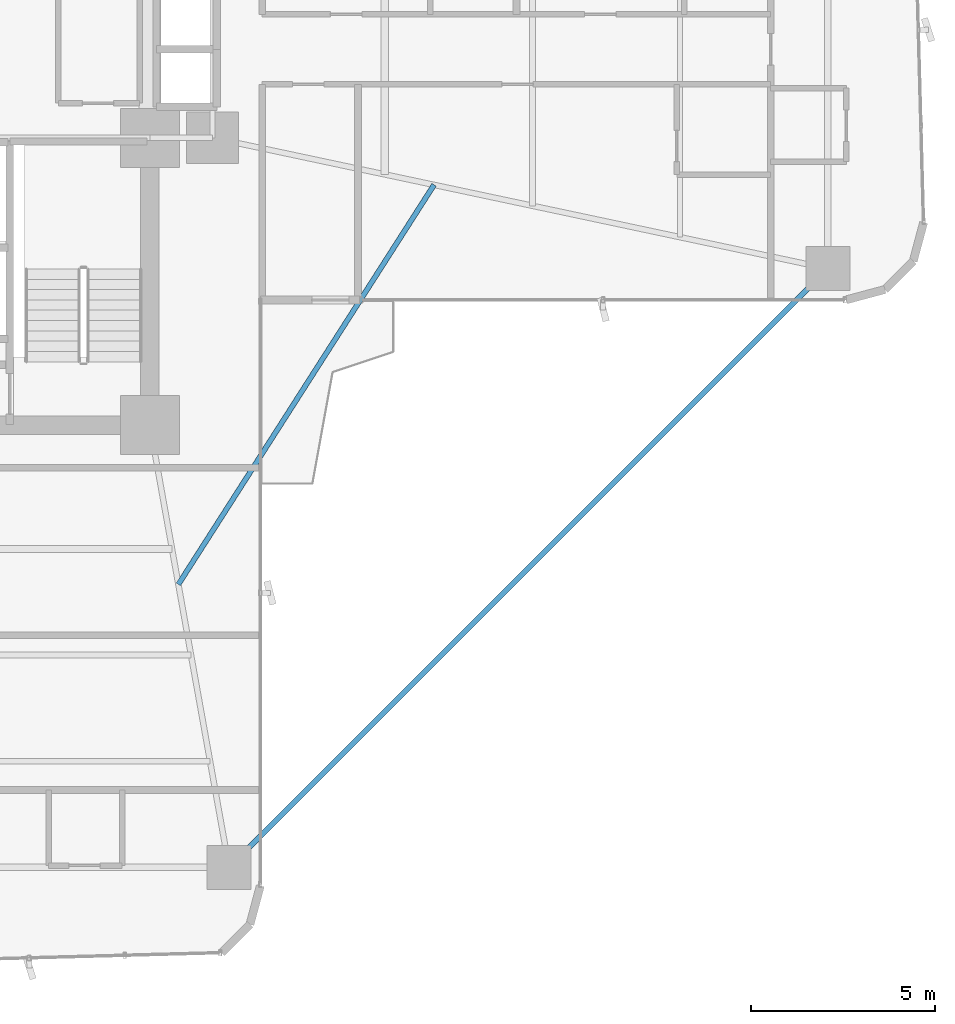
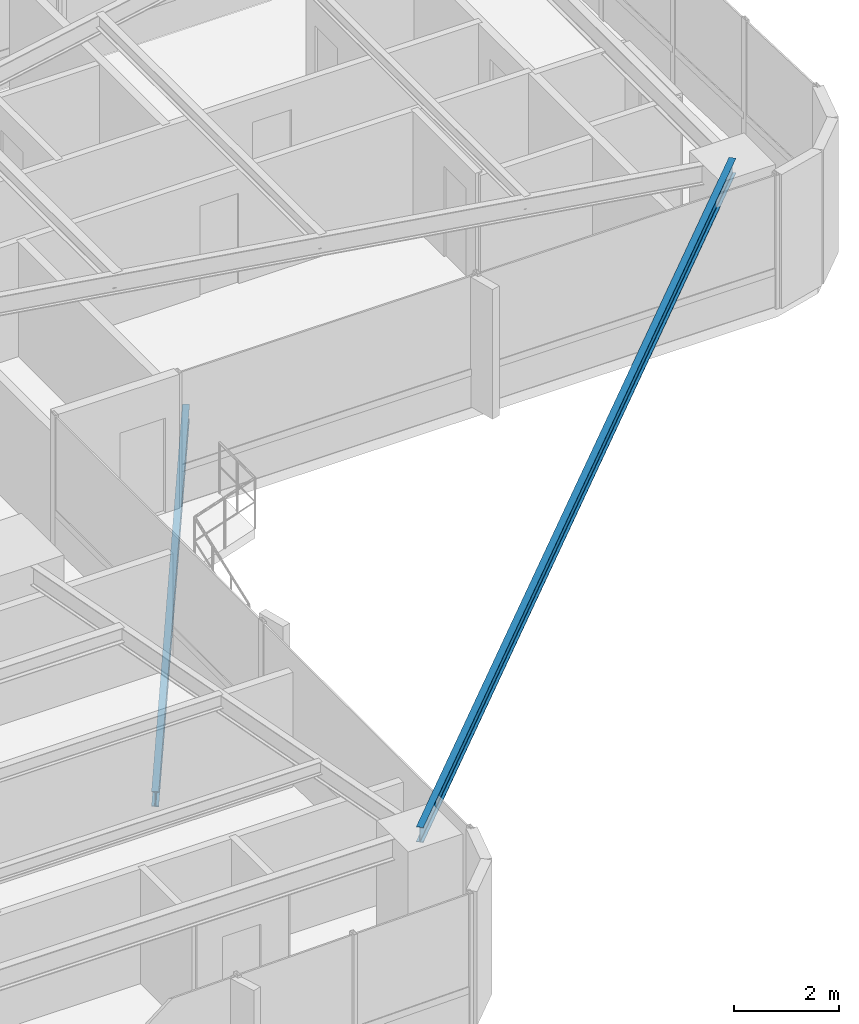
# One storey, part 13 of 25: 2 beams.
"""IFC4 building model written with IfcOpenShell, lengths in metres."""

from ifc_helpers import new_model, si_unit, direction, frame, origin, origin_2d, place, context, subcontext, project, spatial, i_section, extrude, source, transform, mapped, material, material_profile, profile_set, type_object, element, save


model = new_model("IFC4")

# Units and contexts
model_context = context("Model", 3, precision=1e-05, world=origin(), true_north=direction((0.0, 1.0)))
body_context = subcontext(model_context, "Body", "Model", "MODEL_VIEW")
ifc_project = project(units=[si_unit("LENGTHUNIT", "METRE"), si_unit("AREAUNIT", "SQUARE_METRE"), si_unit("VOLUMEUNIT", "CUBIC_METRE"), si_unit("PLANEANGLEUNIT", "RADIAN"), si_unit("MASSUNIT", "GRAM", prefix="KILO")], contexts=[model_context])

# Site, building, storey
site_placement = place(None, origin())
site = spatial("IfcSite", under=ifc_project, at=site_placement, CompositionType="ELEMENT")
building_placement = place(site_placement, origin())
building = spatial("IfcBuilding", under=site, at=building_placement, Name="Sahyath Konkavel Grand Hotel", CompositionType="ELEMENT")
storey_placement = place(building_placement, frame((0.0, 0.0, 57.75)))
storey = spatial("IfcBuildingStorey", under=building, at=storey_placement, Name="L15", CompositionType="ELEMENT", Elevation=57.75)

# Beams
ifc_material = material(Name="Steel E350", Category="steel")
ifc_material_profile_1 = material_profile(ifc_material, i_section(OverallWidth=0.139892578125, OverallDepth=0.35009765625, WebThickness=0.008056640625, FlangeThickness=0.01416015625, FilletRadius=0.013916015625, at=origin_2d()), Name="ISMB 350")
ifc_profile_set_1 = profile_set([ifc_material_profile_1], Name="Steel E350")
beam_type_1 = type_object("IfcBeamType", Name="BM-ISMB350", PredefinedType="BEAM", material=ifc_profile_set_1)
shared_shape_1 = source(origin(), body_context, "Body", "SweptSolid", [
    extrude(i_section(OverallWidth=0.139892578125, OverallDepth=0.35009765625, WebThickness=0.008056640625, FlangeThickness=0.01416015625, FilletRadius=0.013916015625, at=origin_2d()), origin(), (0.0, 0.0, 1.0), 22.98095703125),
])
beam_1_placement = place(storey_placement, frame((22.199951171875, -5.949951171875, 2.93505859375), z_axis=(-0.707106781187, -0.707106781187, 0.0), x_axis=(0.707106781187, -0.707106781187, 0.0)))
element("IfcBeam", 1, at=beam_1_placement, inside=storey, type_object=beam_type_1, Name="L15 Re-Entrant Tie Beam SE", PredefinedType="BEAM", context=body_context, shape_type="MappedRepresentation", body=[
    mapped(shared_shape_1, transform((0.0, 0.0, 0.0), scale=1.0)),
])
ifc_material_profile_2 = material_profile(ifc_material, i_section(OverallWidth=0.139892578125, OverallDepth=0.35009765625, WebThickness=0.008056640625, FlangeThickness=0.01416015625, FilletRadius=0.013916015625, at=origin_2d()), Name="ISMB 350")
ifc_profile_set_2 = profile_set([ifc_material_profile_2], Name="Steel E350")
beam_type_2 = type_object("IfcBeamType", Name="BM-BALC-CANT", PredefinedType="BEAM", material=ifc_profile_set_2)
shared_shape_2 = source(origin(), body_context, "Body", "SweptSolid", [
    extrude(i_section(OverallWidth=0.139892578125, OverallDepth=0.35009765625, WebThickness=0.008056640625, FlangeThickness=0.01416015625, FilletRadius=0.013916015625, at=origin_2d()), origin(), (0.0, 0.0, 1.0), 12.871826171875),
])
beam_2_placement = place(storey_placement, frame((4.573974609375, -14.52001953125, -0.4150390625), z_axis=(0.539003102535, 0.842303778608, 0.0), x_axis=(-0.842303778608, 0.539003102535, 0.0)))
element("IfcBeam", 2, at=beam_2_placement, inside=storey, type_object=beam_type_2, Name="L15 Balcony Cantilever Support Beam SE", PredefinedType="BEAM", context=body_context, shape_type="MappedRepresentation", body=[
    mapped(shared_shape_2, transform((0.0, 0.0, 0.0), scale=1.0)),
])

save(model, "model.ifc")
